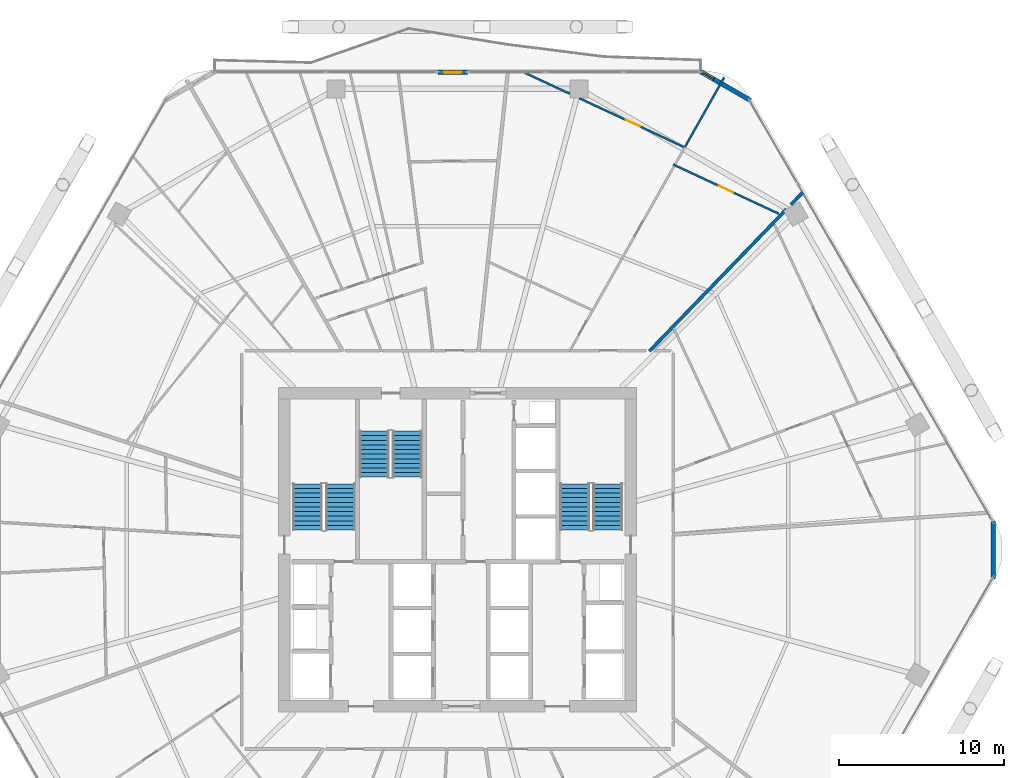
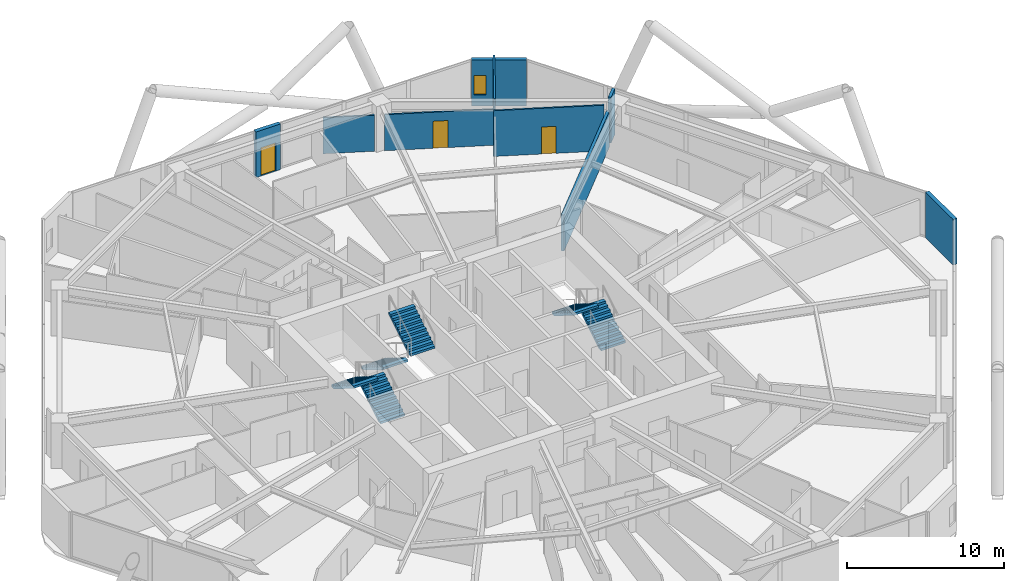
# One storey, part 32 of 35: 9 walls, 6 stair flights, 3 doors, 1 window, 4 openings, 3 elements without a shape of their own.
"""IFC4 building model written with IfcOpenShell, lengths in metres."""

from ifc_helpers import new_model, si_unit, direction, frame, frame_2d, origin, place, context, subcontext, project, spatial, polyline, rectangle, outline, extrude, material, layer, layer_set, type_object, element, fill, aggregate, save


model = new_model("IFC4")

# Units and contexts
model_context = context("Model", 3, precision=1e-05, world=origin(), true_north=direction((0.0, 1.0)))
body_context = subcontext(model_context, "Body", "Model", "MODEL_VIEW")
ifc_project = project(units=[si_unit("LENGTHUNIT", "METRE"), si_unit("AREAUNIT", "SQUARE_METRE"), si_unit("VOLUMEUNIT", "CUBIC_METRE"), si_unit("PLANEANGLEUNIT", "RADIAN"), si_unit("MASSUNIT", "GRAM", prefix="KILO")], contexts=[model_context])

# Site, building, storey
site_placement = place(None, origin())
site = spatial("IfcSite", under=ifc_project, at=site_placement, CompositionType="ELEMENT")
building_placement = place(site_placement, origin())
building = spatial("IfcBuilding", under=site, at=building_placement, Name="Zuhravey Tower", CompositionType="ELEMENT")
storey_placement = place(building_placement, frame((0.0, 0.0, 92.39990234375)))
storey = spatial("IfcBuildingStorey", under=building, at=storey_placement, Name="L22", CompositionType="ELEMENT", Elevation=92.39990234375)

# Wall, opening, door
ifc_material_1 = material(Name="Precast concrete C40/50", Category="concrete")
ifc_layer_1 = layer(ifc_material_1, 0.280029296875)
ifc_layer_set_1 = layer_set([ifc_layer_1], Name="Precast concrete C40/50")
wall_type_1 = type_object("IfcWallType", Name="Crown Architectural Wall 280", PredefinedType="SOLIDWALL", material=ifc_layer_set_1)
wall_1_placement = place(storey_placement, frame((34.803466796875, 60.95849609375, 0.0), z_axis=(0.0, 0.0, 1.0), x_axis=(1.0, 0.0, 0.0)))
wall_1 = element("IfcWall", 1, at=wall_1_placement, inside=storey, type_object=wall_type_1, Name="L22 Face 2 Facade Pier EW28-1", PredefinedType="SOLIDWALL", context=body_context, shape_type="SweptSolid", body=[
    extrude(rectangle(XDim=1.7900390625, YDim=0.280029296875, at=frame_2d((0.89501953125, 0.0))), origin(), (0.0, 0.0, 1.0), 3.550048828125),
])
opening_1_placement = place(wall_1_placement, frame((0.344970703125, 0.0, 0.0)))
opening_1 = element("IfcOpeningElement", 2, at=opening_1_placement, cuts=wall_1, Name="Opening BLD1", PredefinedType="OPENING", context=body_context, shape_type="SweptSolid", body=[
    extrude(rectangle(XDim=1.10009765625, YDim=2.199951171875, at=frame_2d((0.550048828125, 1.10009765625))), frame((0.0, 0.152099609375, 0.0), z_axis=(0.0, -1.0, 0.0), x_axis=(1.0, 0.0, 0.0)), (0.0, 0.0, 1.0), 0.303955078125),
])
ifc_material_2 = material(Name="Thermally broken aluminium and low-E glass", Category="aluminium")
door_type_1 = type_object("IfcDoorType", Name="Balcony & Sky-Tray Glazed Door 1100x2200", OperationType="NOTDEFINED", PredefinedType="DOOR", material=ifc_material_2)
door_1_placement = place(opening_1_placement, frame((1.10009765625, 0.0, 0.0), z_axis=(0.0, 0.0, 1.0), x_axis=(-1.0, 0.0, 0.0)))
door_1 = element("IfcDoor", 3, at=door_1_placement, inside=storey, type_object=door_type_1, Name="L22 Face 2 Wave Balcony Door", OperationType="SINGLE_SWING_RIGHT", OverallHeight=2.199951171875, OverallWidth=1.10009765625, PredefinedType="DOOR", context=body_context, shape_type="SweptSolid", body=[
    extrude(rectangle(XDim=1.10009765625, YDim=2.199951171875, at=frame_2d((0.550048828125, 1.10009765625))), frame((0.0, 0.02490234375, 0.0), z_axis=(0.0, -1.0, 0.0), x_axis=(1.0, 0.0, 0.0)), (0.0, 0.0, 1.0), 0.050048828125),
])
fill(opening_1, door_1)

# Wall, opening, window
wall_2_placement = place(storey_placement, frame((50.71728515625, 61.006103515625, 0.0), z_axis=(0.0, 0.0, 1.0), x_axis=(0.866007452331, -0.500031091541, 0.0)))
wall_2 = element("IfcWall", 4, at=wall_2_placement, inside=storey, type_object=wall_type_1, Name="L22 Rounded Corner Closure Wall EW28-10", PredefinedType="SOLIDWALL", context=body_context, shape_type="SweptSolid", body=[
    extrude(rectangle(XDim=3.514892578125, YDim=0.280029296875, at=frame_2d((1.75732421875, 0.0))), origin(), (0.0, 0.0, 1.0), 3.550048828125),
])
opening_2_placement = place(wall_2_placement, frame((0.18212890625, 0.0, 0.85009765625)))
opening_2 = element("IfcOpeningElement", 5, at=opening_2_placement, cuts=wall_2, Name="Opening WN5", PredefinedType="OPENING", context=body_context, shape_type="SweptSolid", body=[
    extrude(rectangle(XDim=0.75, YDim=1.5, at=frame_2d((0.375, 0.75))), frame((0.0, 0.152099609375, 0.0), z_axis=(0.0, -1.0, 0.0), x_axis=(1.0, 0.0, 0.0)), (0.0, 0.0, 1.0), 0.303955078125),
])
ifc_material_3 = material(Name="Thermally broken aluminium and triple low-E glass", Category="aluminium")
window_type = type_object("IfcWindowType", Name="Residential Corner Casement Window 750x1500", PartitioningType="SINGLE_PANEL", PredefinedType="WINDOW", material=ifc_material_3)
window_placement = place(opening_2_placement, origin())
window = element("IfcWindow", 6, at=window_placement, inside=storey, type_object=window_type, Name="L22 Corner Casement Window WN5-10.1", OverallHeight=1.5, OverallWidth=0.75, PartitioningType="SINGLE_PANEL", PredefinedType="WINDOW", context=body_context, shape_type="SweptSolid", body=[
    extrude(rectangle(XDim=0.75, YDim=1.5, at=frame_2d((0.375, 0.75))), frame((0.0, 0.030029296875, 0.0), z_axis=(0.0, -1.0, 0.0), x_axis=(1.0, 0.0, 0.0)), (0.0, 0.0, 1.0), 0.06005859375),
])
fill(opening_2, window)

# Walls
wall_3_placement = place(storey_placement, frame((68.478515625, 33.757568359375, 0.0), z_axis=(0.0, 0.0, 1.0), x_axis=(0.0, -1.0, 0.0)))
element("IfcWall", 7, at=wall_3_placement, inside=storey, type_object=wall_type_1, Name="L22 Rounded Corner Closure Wall EW28-12", PredefinedType="SOLIDWALL", context=body_context, shape_type="SweptSolid", body=[
    extrude(rectangle(XDim=3.51513671875, YDim=0.280029296875, at=frame_2d((1.757568359375, 0.0))), origin(), (0.0, 0.0, 1.0), 3.550048828125),
])
ifc_material_4 = material(Name="Gypsum double-stud party assembly")
ifc_layer_2 = layer(ifc_material_4, 0.199951171875)
ifc_layer_set_2 = layer_set([ifc_layer_2], Name="Gypsum double-stud party assembly")
wall_type_2 = type_object("IfcWallType", Name="Inter-Tenancy Party Wall 200", PredefinedType="PARTITIONING", material=ifc_layer_set_2)
wall_4_placement = place(storey_placement, frame((47.626953125, 44.0400390625, 0.0), z_axis=(0.0, 0.0, 1.0), x_axis=(0.694659610847, 0.719338602508, 0.0)))
element("IfcWall", 8, at=wall_4_placement, inside=storey, type_object=wall_type_2, Name="L22 IW20 Partition 075", PredefinedType="PARTITIONING", context=body_context, shape_type="SweptSolid", body=[
    extrude(rectangle(XDim=11.97998046875, YDim=0.199951171875, at=frame_2d((5.989990234375, 0.0))), origin(), (0.0, 0.0, 1.0), 2.800048828125),
])
wall_5_placement = place(storey_placement, frame((56.208984375, 52.927001953125, 0.0), z_axis=(0.0, 0.0, 1.0), x_axis=(0.694716755503, 0.719283413977, 0.0)))
element("IfcWall", 9, at=wall_5_placement, inside=storey, type_object=wall_type_2, Name="L22 IW20 Partition 076", PredefinedType="PARTITIONING", context=body_context, shape_type="SweptSolid", body=[
    extrude(rectangle(XDim=1.033447265625, YDim=0.199951171875, at=frame_2d((0.5166015625, 0.0))), origin(), (0.0, 0.0, 1.0), 3.550048828125),
])

# Wall, opening, door
ifc_material_5 = material(Name="Gypsum metal-stud partition")
ifc_layer_3 = layer(ifc_material_5, 0.1201171875)
ifc_layer_set_3 = layer_set([ifc_layer_3], Name="Gypsum metal-stud partition")
wall_type_3 = type_object("IfcWallType", Name="Unit Internal Partition 120", PredefinedType="PARTITIONING", material=ifc_layer_set_3)
wall_6_placement = place(storey_placement, frame((55.47509765625, 52.377197265625, 0.0), z_axis=(0.0, 0.0, 1.0), x_axis=(-0.906311093924, 0.422611170026, 0.0)))
wall_6 = element("IfcWall", 10, at=wall_6_placement, inside=storey, type_object=wall_type_3, Name="L22 IW12 Partition 025", PredefinedType="PARTITIONING", context=body_context, shape_type="SweptSolid", body=[
    extrude(rectangle(XDim=7.065673828125, YDim=0.1201171875, at=frame_2d((3.53271484375, 0.0))), origin(), (0.0, 0.0, 1.0), 3.550048828125),
])
opening_3_placement = place(wall_6_placement, frame((3.05810546875, 0.0, 0.0)))
opening_3 = element("IfcOpeningElement", 11, at=opening_3_placement, cuts=wall_6, Name="Opening IND1", PredefinedType="OPENING", context=body_context, shape_type="SweptSolid", body=[
    extrude(rectangle(XDim=0.949951171875, YDim=2.10009765625, at=frame_2d((0.47509765625, 1.050048828125))), frame((0.0, 0.072021484375, 0.0), z_axis=(0.0, -1.0, 0.0), x_axis=(1.0, 0.0, 0.0)), (0.0, 0.0, 1.0), 0.14404296875),
])
ifc_material_6 = material(Name="Painted engineered timber leaf", Category="wood")
door_type_2 = type_object("IfcDoorType", Name="Internal Room & Bedroom Door 950x2100", OperationType="NOTDEFINED", PredefinedType="DOOR", material=ifc_material_6)
door_2_placement = place(opening_3_placement, frame((0.949951171875, 0.0, 0.0), z_axis=(0.0, 0.0, 1.0), x_axis=(-1.0, 0.0, 0.0)))
door_2 = element("IfcDoor", 12, at=door_2_placement, inside=storey, type_object=door_type_2, Name="Apartment L22-02 Family Study Door", OperationType="SINGLE_SWING_RIGHT", OverallHeight=2.10009765625, OverallWidth=0.949951171875, PredefinedType="DOOR", context=body_context, shape_type="SweptSolid", body=[
    extrude(rectangle(XDim=0.949951171875, YDim=2.10009765625, at=frame_2d((0.47509765625, 1.050048828125))), frame((0.0, 0.02490234375, 0.0), z_axis=(0.0, -1.0, 0.0), x_axis=(1.0, 0.0, 0.0)), (0.0, 0.0, 1.0), 0.050048828125),
])
fill(opening_3, door_2)

wall_7_placement = place(storey_placement, frame((49.710205078125, 56.430419921875, 0.0), z_axis=(0.0, 0.0, 1.0), x_axis=(-0.906320781417, 0.422590394084, 0.0)))
wall_7 = element("IfcWall", 13, at=wall_7_placement, inside=storey, type_object=wall_type_3, Name="L22 IW12 Partition 029", PredefinedType="PARTITIONING", context=body_context, shape_type="SweptSolid", body=[
    extrude(rectangle(XDim=6.97607421875, YDim=0.1201171875, at=frame_2d((3.488037109375, 0.0))), origin(), (0.0, 0.0, 1.0), 2.800048828125),
])
opening_4_placement = place(wall_7_placement, frame((2.9287109375, 0.0, 0.0)))
opening_4 = element("IfcOpeningElement", 14, at=opening_4_placement, cuts=wall_7, Name="Opening IND1", PredefinedType="OPENING", context=body_context, shape_type="SweptSolid", body=[
    extrude(rectangle(XDim=0.949951171875, YDim=2.10009765625, at=frame_2d((0.47509765625, 1.050048828125))), frame((0.0, 0.072021484375, 0.0), z_axis=(0.0, -1.0, 0.0), x_axis=(1.0, 0.0, 0.0)), (0.0, 0.0, 1.0), 0.14404296875),
])
door_3_placement = place(opening_4_placement, frame((0.949951171875, 0.0, 0.0), z_axis=(0.0, 0.0, 1.0), x_axis=(-1.0, 0.0, 0.0)))
door_3 = element("IfcDoor", 15, at=door_3_placement, inside=storey, type_object=door_type_2, Name="Apartment L22-02 Bedroom 1 Door", OperationType="SINGLE_SWING_LEFT", OverallHeight=2.10009765625, OverallWidth=0.949951171875, PredefinedType="DOOR", context=body_context, shape_type="SweptSolid", body=[
    extrude(rectangle(XDim=0.949951171875, YDim=2.10009765625, at=frame_2d((0.47509765625, 1.050048828125))), frame((0.0, 0.02490234375, 0.0), z_axis=(0.0, -1.0, 0.0), x_axis=(1.0, 0.0, 0.0)), (0.0, 0.0, 1.0), 0.050048828125),
])
fill(opening_4, door_3)

# Walls
wall_8_placement = place(storey_placement, frame((49.7841796875, 56.423095703125, 0.0), z_axis=(0.0, 0.0, 1.0), x_axis=(0.491502522911, 0.870876150766, 0.0)))
element("IfcWall", 16, at=wall_8_placement, inside=storey, type_object=wall_type_3, Name="L22 IW12 Partition 078", PredefinedType="PARTITIONING", context=body_context, shape_type="SweptSolid", body=[
    extrude(rectangle(XDim=4.844482421875, YDim=0.1201171875, at=frame_2d((2.42236328125, 0.0))), origin(), (0.0, 0.0, 1.0), 3.550048828125),
])
wall_9_placement = place(storey_placement, frame((42.800048828125, 59.652587890625, 0.0), z_axis=(0.0, 0.0, 1.0), x_axis=(-0.906316219076, 0.422600178702, 0.0)))
element("IfcWall", 17, at=wall_9_placement, inside=storey, type_object=wall_type_3, Name="L22 IW12 Partition 080", PredefinedType="PARTITIONING", context=body_context, shape_type="SweptSolid", body=[
    extrude(rectangle(XDim=3.27978515625, YDim=0.1201171875, at=frame_2d((1.639892578125, 0.0))), origin(), (0.0, 0.0, 1.0), 2.800048828125),
])

# Stair, stair flights
ifc_material_7 = material(Name="Concrete C40/50", Category="concrete")
stair_type = type_object("IfcStairType", Name="Housing Storey Stair Assembly 3800", PredefinedType="HALF_TURN_STAIR", material=ifc_material_7)
stair_1_placement = place(storey_placement, origin())
stair_1 = element("IfcStair", 18, at=stair_1_placement, inside=storey, type_object=stair_type, Name="L22 Core Exit Stair ST1", PredefinedType="HALF_TURN_STAIR")
stair_flight_type = type_object("IfcStairFlightType", Name="Housing Storey Stair Flight 3800", PredefinedType="STRAIGHT", material=ifc_material_7)
stair_flight_1_placement = place(storey_placement, frame((28.89990234375, 33.199951171875, 0.0), z_axis=(0.0, 0.0, 1.0), x_axis=(0.0, 1.0, 0.0)))
stair_flight_1 = element("IfcStairFlight", 19, at=stair_flight_1_placement, type_object=stair_flight_type, Name="ST1 flight 1", NumberOfRisers=11, NumberOfTreads=10, PredefinedType="STRAIGHT", RiserHeight=0.172727273, TreadLength=0.28, context=body_context, shape_type="SweptSolid", body=[
    extrude(outline(polyline([(0.0, 0.0), (0.0, 0.172607421875), (0.280029296875, 0.172607421875), (0.280029296875, 0.345458984375), (0.56005859375, 0.345458984375), (0.56005859375, 0.51806640625), (0.840087890625, 0.51806640625), (0.840087890625, 0.69091796875), (1.1201171875, 0.69091796875), (1.1201171875, 0.863525390625), (1.39990234375, 0.863525390625), (1.39990234375, 1.036376953125), (1.679931640625, 1.036376953125), (1.679931640625, 1.208984375), (1.9599609375, 1.208984375), (1.9599609375, 1.3818359375), (2.239990234375, 1.3818359375), (2.239990234375, 1.554443359375), (2.52001953125, 1.554443359375), (2.52001953125, 1.727294921875), (2.800048828125, 1.727294921875), (2.800048828125, 1.89990234375), (2.800048828125, 1.551025390625), (0.285400390625, 0.0), (0.0, 0.0)])), frame((0.0, 0.89990234375, 0.0), z_axis=(0.0, -1.0, 0.0), x_axis=(1.0, 0.0, 0.0)), (0.0, 0.0, 1.0), 1.800048828125),
])
stair_flight_2_placement = place(storey_placement, frame((26.89990234375, 36.0, 1.900146484375), z_axis=(0.0, 0.0, 1.0), x_axis=(0.0, -1.0, 0.0)))
stair_flight_2 = element("IfcStairFlight", 20, at=stair_flight_2_placement, type_object=stair_flight_type, Name="ST1 flight 2", NumberOfRisers=11, NumberOfTreads=10, PredefinedType="STRAIGHT", RiserHeight=0.172727273, TreadLength=0.28, context=body_context, shape_type="SweptSolid", body=[
    extrude(outline(polyline([(0.0, 0.0), (0.0, 0.172607421875), (0.280029296875, 0.172607421875), (0.280029296875, 0.345458984375), (0.56005859375, 0.345458984375), (0.56005859375, 0.51806640625), (0.840087890625, 0.51806640625), (0.840087890625, 0.69091796875), (1.1201171875, 0.69091796875), (1.1201171875, 0.863525390625), (1.39990234375, 0.863525390625), (1.39990234375, 1.036376953125), (1.679931640625, 1.036376953125), (1.679931640625, 1.208984375), (1.9599609375, 1.208984375), (1.9599609375, 1.3818359375), (2.239990234375, 1.3818359375), (2.239990234375, 1.554443359375), (2.52001953125, 1.554443359375), (2.52001953125, 1.727294921875), (2.800048828125, 1.727294921875), (2.800048828125, 1.89990234375), (2.800048828125, 1.551025390625), (0.285400390625, 0.0), (0.0, 0.0)])), frame((0.0, 0.89990234375, 0.0), z_axis=(0.0, -1.0, 0.0), x_axis=(1.0, 0.0, 0.0)), (0.0, 0.0, 1.0), 1.800048828125),
])
aggregate(stair_1, [stair_flight_1, stair_flight_2])

stair_2_placement = place(storey_placement, origin())
stair_2 = element("IfcStair", 21, at=stair_2_placement, inside=storey, type_object=stair_type, Name="L22 Core Exit Stair ST2", PredefinedType="HALF_TURN_STAIR")
stair_flight_3_placement = place(storey_placement, frame((45.10009765625, 33.199951171875, 0.0), z_axis=(0.0, 0.0, 1.0), x_axis=(0.0, 1.0, 0.0)))
stair_flight_3 = element("IfcStairFlight", 22, at=stair_flight_3_placement, type_object=stair_flight_type, Name="ST2 flight 1", NumberOfRisers=11, NumberOfTreads=10, PredefinedType="STRAIGHT", RiserHeight=0.172727273, TreadLength=0.28, context=body_context, shape_type="SweptSolid", body=[
    extrude(outline(polyline([(0.0, 0.0), (0.0, 0.172607421875), (0.280029296875, 0.172607421875), (0.280029296875, 0.345458984375), (0.56005859375, 0.345458984375), (0.56005859375, 0.51806640625), (0.840087890625, 0.51806640625), (0.840087890625, 0.69091796875), (1.1201171875, 0.69091796875), (1.1201171875, 0.863525390625), (1.39990234375, 0.863525390625), (1.39990234375, 1.036376953125), (1.679931640625, 1.036376953125), (1.679931640625, 1.208984375), (1.9599609375, 1.208984375), (1.9599609375, 1.3818359375), (2.239990234375, 1.3818359375), (2.239990234375, 1.554443359375), (2.52001953125, 1.554443359375), (2.52001953125, 1.727294921875), (2.800048828125, 1.727294921875), (2.800048828125, 1.89990234375), (2.800048828125, 1.551025390625), (0.285400390625, 0.0), (0.0, 0.0)])), frame((0.0, 0.89990234375, 0.0), z_axis=(0.0, -1.0, 0.0), x_axis=(1.0, 0.0, 0.0)), (0.0, 0.0, 1.0), 1.800048828125),
])
stair_flight_4_placement = place(storey_placement, frame((43.10009765625, 36.0, 1.900146484375), z_axis=(0.0, 0.0, 1.0), x_axis=(0.0, -1.0, 0.0)))
stair_flight_4 = element("IfcStairFlight", 23, at=stair_flight_4_placement, type_object=stair_flight_type, Name="ST2 flight 2", NumberOfRisers=11, NumberOfTreads=10, PredefinedType="STRAIGHT", RiserHeight=0.172727273, TreadLength=0.28, context=body_context, shape_type="SweptSolid", body=[
    extrude(outline(polyline([(0.0, 0.0), (0.0, 0.172607421875), (0.280029296875, 0.172607421875), (0.280029296875, 0.345458984375), (0.56005859375, 0.345458984375), (0.56005859375, 0.51806640625), (0.840087890625, 0.51806640625), (0.840087890625, 0.69091796875), (1.1201171875, 0.69091796875), (1.1201171875, 0.863525390625), (1.39990234375, 0.863525390625), (1.39990234375, 1.036376953125), (1.679931640625, 1.036376953125), (1.679931640625, 1.208984375), (1.9599609375, 1.208984375), (1.9599609375, 1.3818359375), (2.239990234375, 1.3818359375), (2.239990234375, 1.554443359375), (2.52001953125, 1.554443359375), (2.52001953125, 1.727294921875), (2.800048828125, 1.727294921875), (2.800048828125, 1.89990234375), (2.800048828125, 1.551025390625), (0.285400390625, 0.0), (0.0, 0.0)])), frame((0.0, 0.89990234375, 0.0), z_axis=(0.0, -1.0, 0.0), x_axis=(1.0, 0.0, 0.0)), (0.0, 0.0, 1.0), 1.800048828125),
])
aggregate(stair_2, [stair_flight_3, stair_flight_4])

stair_3_placement = place(storey_placement, origin())
stair_3 = element("IfcStair", 24, at=stair_3_placement, inside=storey, type_object=stair_type, Name="L22 Core Exit Stair ST3", PredefinedType="HALF_TURN_STAIR")
stair_flight_5_placement = place(storey_placement, frame((30.949951171875, 39.199951171875, 0.0), z_axis=(0.0, 0.0, 1.0), x_axis=(0.0, -1.0, 0.0)))
stair_flight_5 = element("IfcStairFlight", 25, at=stair_flight_5_placement, type_object=stair_flight_type, Name="ST3 flight 1", NumberOfRisers=11, NumberOfTreads=10, PredefinedType="STRAIGHT", RiserHeight=0.172727273, TreadLength=0.28, context=body_context, shape_type="SweptSolid", body=[
    extrude(outline(polyline([(0.0, 0.0), (0.0, 0.172607421875), (0.280029296875, 0.172607421875), (0.280029296875, 0.345458984375), (0.56005859375, 0.345458984375), (0.56005859375, 0.51806640625), (0.840087890625, 0.51806640625), (0.840087890625, 0.69091796875), (1.1201171875, 0.69091796875), (1.1201171875, 0.863525390625), (1.39990234375, 0.863525390625), (1.39990234375, 1.036376953125), (1.679931640625, 1.036376953125), (1.679931640625, 1.208984375), (1.9599609375, 1.208984375), (1.9599609375, 1.3818359375), (2.239990234375, 1.3818359375), (2.239990234375, 1.554443359375), (2.52001953125, 1.554443359375), (2.52001953125, 1.727294921875), (2.800048828125, 1.727294921875), (2.800048828125, 1.89990234375), (2.800048828125, 1.551025390625), (0.285400390625, 0.0), (0.0, 0.0)])), frame((0.0, 0.89990234375, 0.0), z_axis=(0.0, -1.0, 0.0), x_axis=(1.0, 0.0, 0.0)), (0.0, 0.0, 1.0), 1.800048828125),
])
stair_flight_6_placement = place(storey_placement, frame((32.949951171875, 36.39990234375, 1.900146484375), z_axis=(0.0, 0.0, 1.0), x_axis=(0.0, 1.0, 0.0)))
stair_flight_6 = element("IfcStairFlight", 26, at=stair_flight_6_placement, type_object=stair_flight_type, Name="ST3 flight 2", NumberOfRisers=11, NumberOfTreads=10, PredefinedType="STRAIGHT", RiserHeight=0.172727273, TreadLength=0.28, context=body_context, shape_type="SweptSolid", body=[
    extrude(outline(polyline([(0.0, 0.0), (0.0, 0.172607421875), (0.280029296875, 0.172607421875), (0.280029296875, 0.345458984375), (0.56005859375, 0.345458984375), (0.56005859375, 0.51806640625), (0.840087890625, 0.51806640625), (0.840087890625, 0.69091796875), (1.1201171875, 0.69091796875), (1.1201171875, 0.863525390625), (1.39990234375, 0.863525390625), (1.39990234375, 1.036376953125), (1.679931640625, 1.036376953125), (1.679931640625, 1.208984375), (1.9599609375, 1.208984375), (1.9599609375, 1.3818359375), (2.239990234375, 1.3818359375), (2.239990234375, 1.554443359375), (2.52001953125, 1.554443359375), (2.52001953125, 1.727294921875), (2.800048828125, 1.727294921875), (2.800048828125, 1.89990234375), (2.800048828125, 1.551025390625), (0.285400390625, 0.0), (0.0, 0.0)])), frame((0.0, 0.89990234375, 0.0), z_axis=(0.0, -1.0, 0.0), x_axis=(1.0, 0.0, 0.0)), (0.0, 0.0, 1.0), 1.800048828125),
])
aggregate(stair_3, [stair_flight_5, stair_flight_6])

save(model, "model.ifc")
